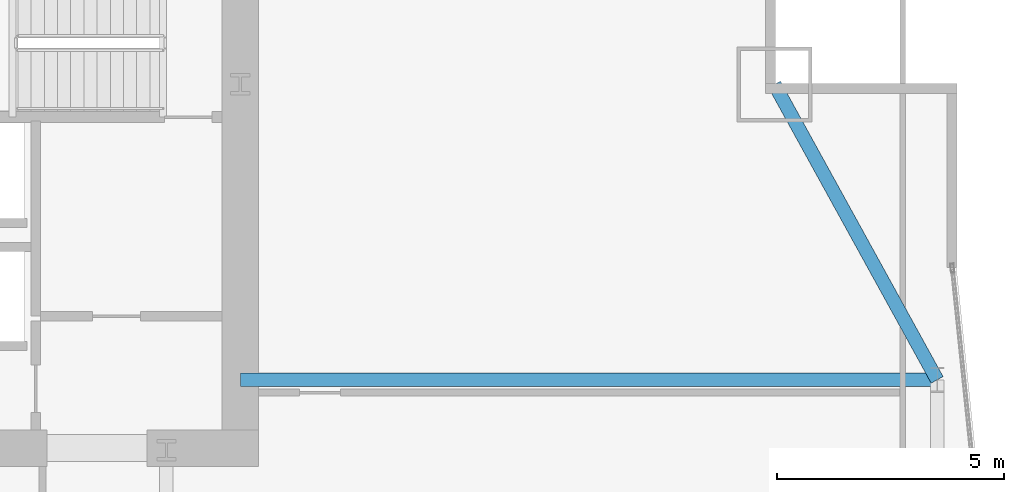
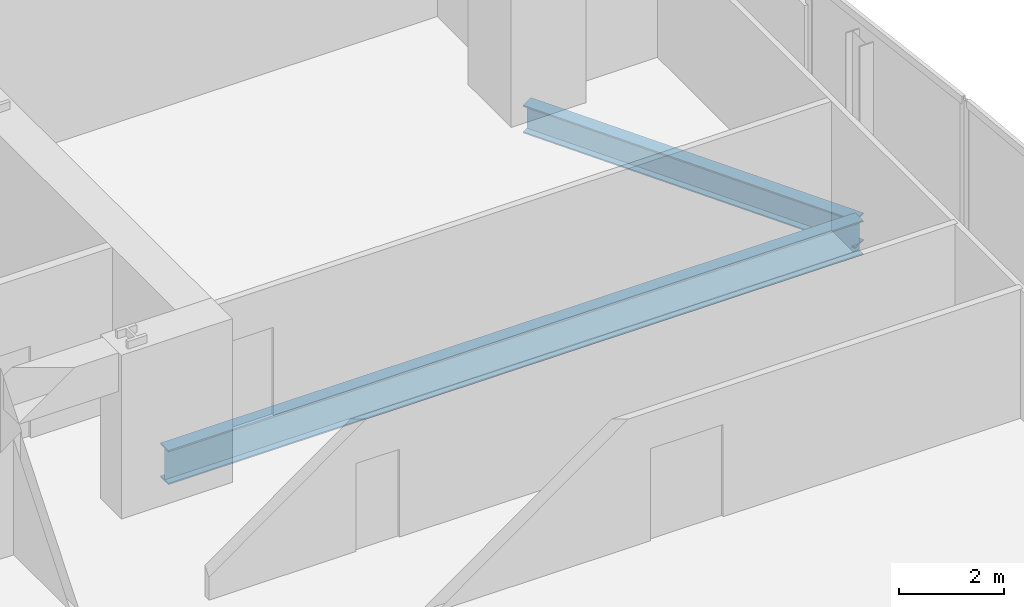
# One storey, part 24 of 35: 2 beams.
"""IFC4 building model written with IfcOpenShell, lengths in metres."""

from ifc_helpers import new_model, si_unit, direction, frame, origin, origin_2d, place, context, subcontext, project, spatial, i_section, extrude, material, material_profile, profile_set, type_object, element, save


model = new_model("IFC4")

# Units and contexts
model_context = context("Model", 3, precision=1e-05, world=origin(), true_north=direction((0.0, 1.0)))
body_context = subcontext(model_context, "Body", "Model", "MODEL_VIEW")
ifc_project = project(units=[si_unit("LENGTHUNIT", "METRE"), si_unit("AREAUNIT", "SQUARE_METRE"), si_unit("VOLUMEUNIT", "CUBIC_METRE"), si_unit("PLANEANGLEUNIT", "RADIAN"), si_unit("MASSUNIT", "GRAM", prefix="KILO")], contexts=[model_context])

# Site, building, storey
site_placement = place(None, origin())
site = spatial("IfcSite", under=ifc_project, at=site_placement, CompositionType="ELEMENT")
building_placement = place(site_placement, origin())
building = spatial("IfcBuilding", under=site, at=building_placement, Name="Khoronbel Lancet Exchange", CompositionType="ELEMENT")
storey_placement = place(building_placement, frame((0.0, 0.0, 25.800048828125)))
storey = spatial("IfcBuildingStorey", under=building, at=storey_placement, Name="L05", CompositionType="ELEMENT", Elevation=25.800048828125)

# Beams
ifc_material = material(Name="Steel S355", Category="steel")
ifc_material_profile_1 = material_profile(ifc_material, i_section(OverallWidth=0.300048828125, OverallDepth=0.800048828125, WebThickness=0.017578125, FlangeThickness=0.032958984375, at=origin_2d()), Name="HEB 800")
ifc_profile_set_1 = profile_set([ifc_material_profile_1], Name="Steel S355")
beam_type_1 = type_object("IfcBeamType", Name="BM-BG2", PredefinedType="BEAM", material=ifc_profile_set_1)
beam_1_placement = place(storey_placement, frame((56.300048828125, 43.199951171875, -0.580078125), z_axis=(1.0, 0.0, 0.0), x_axis=(0.0, 1.0, 0.0)))
element("IfcBeam", 1, at=beam_1_placement, inside=storey, type_object=beam_type_1, Name="Level L05 east lens tie girder LG3E", PredefinedType="BEAM", context=body_context, shape_type="SweptSolid", body=[
    extrude(i_section(OverallWidth=0.300048828125, OverallDepth=0.800048828125, WebThickness=0.017578125, FlangeThickness=0.032958984375, at=origin_2d()), origin(), (0.0, 0.0, 1.0), 15.329833984375),
])
ifc_material_profile_2 = material_profile(ifc_material, i_section(OverallWidth=0.300048828125, OverallDepth=0.64990234375, WebThickness=0.01611328125, FlangeThickness=0.031005859375, at=origin_2d()), Name="HEB 650")
ifc_profile_set_2 = profile_set([ifc_material_profile_2], Name="Steel S355")
beam_type_2 = type_object("IfcBeamType", Name="BM-BSP1", PredefinedType="SPANDREL", material=ifc_profile_set_2)
beam_2_placement = place(storey_placement, frame((71.6298828125, 43.199951171875, -0.505126953125), z_axis=(-0.482418808117, 0.875940690672, 0.0), x_axis=(-0.875940690672, -0.482418808117, 0.0)))
element("IfcBeam", 2, at=beam_2_placement, inside=storey, type_object=beam_type_2, Name="Level L05 perimeter spandrel beam SP13", PredefinedType="SPANDREL", context=body_context, shape_type="SweptSolid", body=[
    extrude(i_section(OverallWidth=0.300048828125, OverallDepth=0.64990234375, WebThickness=0.01611328125, FlangeThickness=0.031005859375, at=origin_2d()), origin(), (0.0, 0.0, 1.0), 7.420654296875),
])

save(model, "model.ifc")
